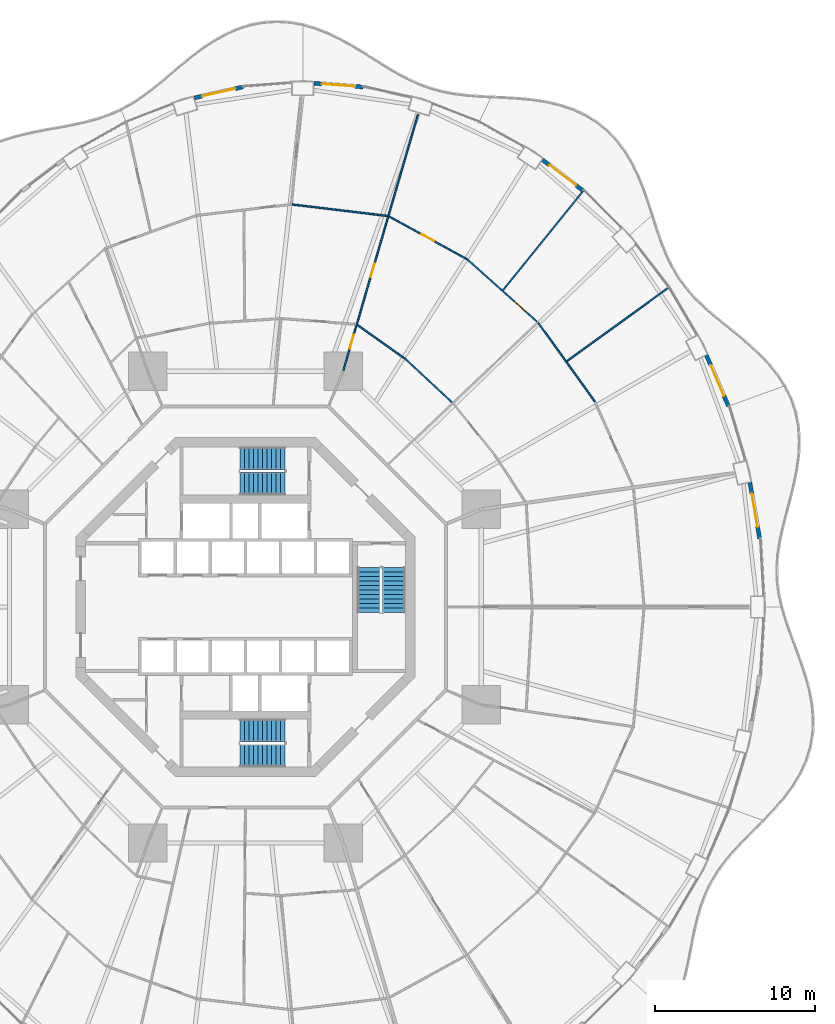
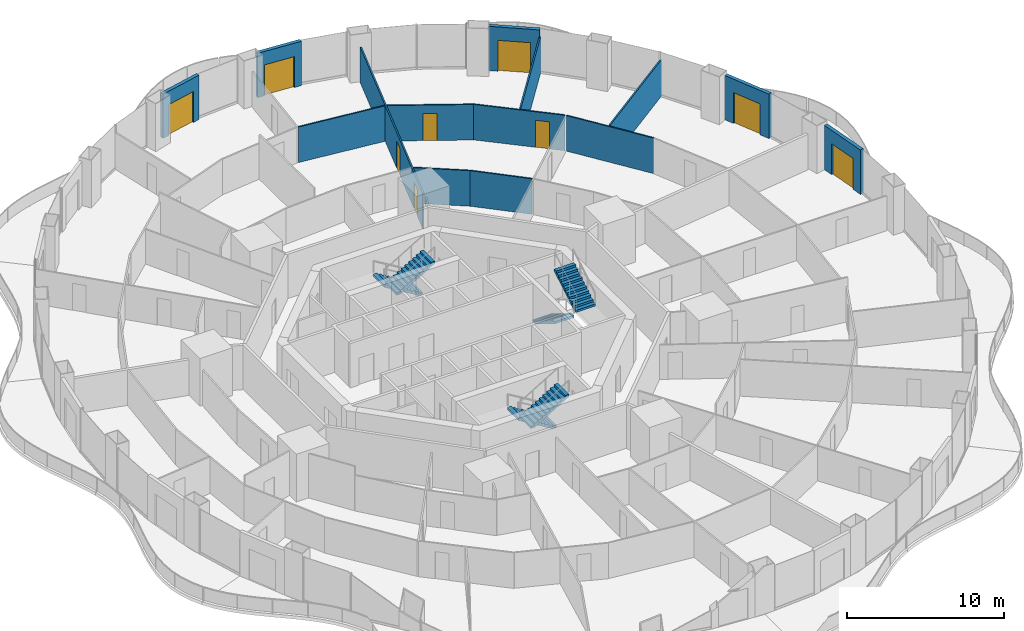
# One storey, part 19 of 22: 14 walls, 9 doors, 6 stair flights, 9 openings, 3 elements without a shape of their own.
"""IFC4 building model written with IfcOpenShell, lengths in metres."""

from ifc_helpers import new_model, si_unit, direction, frame, frame_2d, origin, place, context, subcontext, project, spatial, polyline, rectangle, outline, extrude, material, layer, layer_set, type_object, element, fill, aggregate, save


model = new_model("IFC4")

# Units and contexts
model_context = context("Model", 3, precision=1e-05, world=origin(), true_north=direction((0.0, 1.0)))
body_context = subcontext(model_context, "Body", "Model", "MODEL_VIEW")
ifc_project = project(units=[si_unit("LENGTHUNIT", "METRE"), si_unit("AREAUNIT", "SQUARE_METRE"), si_unit("VOLUMEUNIT", "CUBIC_METRE"), si_unit("PLANEANGLEUNIT", "RADIAN"), si_unit("MASSUNIT", "GRAM", prefix="KILO")], contexts=[model_context])

# Site, building, storey
site_placement = place(None, origin())
site = spatial("IfcSite", under=ifc_project, at=site_placement, CompositionType="ELEMENT")
building_placement = place(site_placement, origin())
building = spatial("IfcBuilding", under=site, at=building_placement, Name="Nagisa Residences", CompositionType="ELEMENT")
storey_placement = place(building_placement, frame((0.0, 0.0, 41.800048828125)))
storey = spatial("IfcBuildingStorey", under=building, at=storey_placement, Name="L09", CompositionType="ELEMENT", Elevation=41.800048828125)

# Walls
ifc_material_1 = material(Name="Gypsum board on steel studs", Category="steel")
ifc_layer_1 = layer(ifc_material_1, 0.10009765625)
ifc_layer_set_1 = layer_set([ifc_layer_1], Name="Apartment partition 100")
wall_type_1 = type_object("IfcWallType", Name="Apartment partition 100", PredefinedType="PARTITIONING", material=ifc_layer_set_1)
wall_1_placement = place(storey_placement, frame((21.90771484375, 12.866455078125, 0.0), z_axis=(0.0, 0.0, 1.0), x_axis=(-0.584558392935, 0.811351640936, 0.0)))
element("IfcWall", 1, at=wall_1_placement, inside=storey, type_object=wall_type_1, Name="wall:L09:u22", PredefinedType="PARTITIONING", context=body_context, shape_type="SweptSolid", body=[
    extrude(rectangle(XDim=6.084228515625, YDim=0.10009765625, at=frame_2d((3.0419921875, 0.0))), origin(), (0.0, 0.0, 1.0), 2.755859375),
])
wall_2_placement = place(storey_placement, frame((20.140625, 15.404541015625, 0.0), z_axis=(0.0, 0.0, 1.0), x_axis=(0.809834895779, 0.58665785734, 0.0)))
element("IfcWall", 2, at=wall_2_placement, inside=storey, type_object=wall_type_1, Name="wall:L09:u23", PredefinedType="PARTITIONING", context=body_context, shape_type="SweptSolid", body=[
    extrude(rectangle(XDim=7.9453125, YDim=0.10009765625, at=frame_2d((3.97265625, 0.0))), origin(), (0.0, 0.0, 1.0), 2.8369140625),
])
wall_3_placement = place(storey_placement, frame((12.957763671875, 12.820068359375, 0.0), z_axis=(0.0, 0.0, 1.0), x_axis=(-0.732028724098, 0.681273768096, 0.0)))
element("IfcWall", 3, at=wall_3_placement, inside=storey, type_object=wall_type_1, Name="wall:L09:u25", PredefinedType="PARTITIONING", context=body_context, shape_type="SweptSolid", body=[
    extrude(rectangle(XDim=4.05029296875, YDim=0.10009765625, at=frame_2d((2.025146484375, 0.0))), origin(), (0.0, 0.0, 1.0), 2.755859375),
])

# Wall, opening, door
wall_4_placement = place(storey_placement, frame((18.28466796875, 17.876953125, 0.0), z_axis=(0.0, 0.0, 1.0), x_axis=(-0.745812746724, 0.666155647596, 0.0)))
wall_4 = element("IfcWall", 4, at=wall_4_placement, inside=storey, type_object=wall_type_1, Name="wall:L09:u26", PredefinedType="PARTITIONING", context=body_context, shape_type="SweptSolid", body=[
    extrude(rectangle(XDim=5.9306640625, YDim=0.10009765625, at=frame_2d((2.96533203125, 0.0))), origin(), (0.0, 0.0, 1.0), 2.755859375),
])
opening_1_placement = place(wall_4_placement, frame((1.007568359375, 0.0, 0.0)))
opening_1 = element("IfcOpeningElement", 5, at=opening_1_placement, cuts=wall_4, Name="Opening L09-U15", PredefinedType="OPENING", context=body_context, shape_type="SweptSolid", body=[
    extrude(rectangle(XDim=0.89990234375, YDim=2.10009765625, at=frame_2d((0.449951171875, 1.050048828125))), frame((0.0, 0.06005859375, 0.0), z_axis=(0.0, -1.0, 0.0), x_axis=(1.0, 0.0, 0.0)), (0.0, 0.0, 1.0), 0.1201171875),
])
ifc_material_2 = material(Name="Timber door set", Category="wood")
door_type_1 = type_object("IfcDoorType", Name="Apartment door 900x2100", OperationType="NOTDEFINED", PredefinedType="DOOR", material=ifc_material_2)
door_1_placement = place(opening_1_placement, frame((0.89990234375, 0.0, 0.0), x_axis=(-1.0, 0.0, 0.0)))
door_1 = element("IfcDoor", 6, at=door_1_placement, inside=storey, type_object=door_type_1, Name="Door to master bedroom, Apartment 09A", OperationType="SINGLE_SWING_RIGHT", OverallHeight=2.10009765625, OverallWidth=0.89990234375, PredefinedType="DOOR", context=body_context, shape_type="SweptSolid", body=[
    extrude(rectangle(XDim=0.89990234375, YDim=2.10009765625, at=frame_2d((0.449951171875, 1.050048828125))), frame((0.0, 0.02490234375, 0.0), z_axis=(0.0, -1.0, 0.0), x_axis=(1.0, 0.0, 0.0)), (0.0, 0.0, 1.0), 0.050048828125),
])
fill(opening_1, door_1)

# Walls
wall_5_placement = place(storey_placement, frame((16.141845703125, 19.85791015625, 0.0), z_axis=(0.0, 0.0, 1.0), x_axis=(0.628738066508, 0.777617157555, 0.0)))
element("IfcWall", 7, at=wall_5_placement, inside=storey, type_object=wall_type_1, Name="wall:L09:u27", PredefinedType="PARTITIONING", context=body_context, shape_type="SweptSolid", body=[
    extrude(rectangle(XDim=8.091064453125, YDim=0.10009765625, at=frame_2d((4.04541015625, 0.0))), origin(), (0.0, 0.0, 1.0), 2.8369140625),
])
wall_6_placement = place(storey_placement, frame((9.98876953125, 15.57421875, 0.0), z_axis=(0.0, 0.0, 1.0), x_axis=(-0.81494477814, 0.57953861699, 0.0)))
element("IfcWall", 8, at=wall_6_placement, inside=storey, type_object=wall_type_1, Name="wall:L09:u28", PredefinedType="PARTITIONING", context=body_context, shape_type="SweptSolid", body=[
    extrude(rectangle(XDim=3.644287109375, YDim=0.10009765625, at=frame_2d((1.822265625, 0.0))), origin(), (0.0, 0.0, 1.0), 2.755859375),
])

# Wall, opening, door
wall_7_placement = place(storey_placement, frame((13.85498046875, 21.818359375, 0.0), z_axis=(0.0, 0.0, 1.0), x_axis=(-0.876794415294, 0.480865421203, 0.0)))
wall_7 = element("IfcWall", 9, at=wall_7_placement, inside=storey, type_object=wall_type_1, Name="wall:L09:u29", PredefinedType="PARTITIONING", context=body_context, shape_type="SweptSolid", body=[
    extrude(rectangle(XDim=5.5361328125, YDim=0.10009765625, at=frame_2d((2.76806640625, 0.0))), origin(), (0.0, 0.0, 1.0), 2.755859375),
])
opening_2_placement = place(wall_7_placement, frame((2.318115234375, 0.0, 0.0)))
opening_2 = element("IfcOpeningElement", 10, at=opening_2_placement, cuts=wall_7, Name="Opening L09-U16", PredefinedType="OPENING", context=body_context, shape_type="SweptSolid", body=[
    extrude(rectangle(XDim=0.89990234375, YDim=2.10009765625, at=frame_2d((0.449951171875, 1.050048828125))), frame((0.0, 0.06005859375, 0.0), z_axis=(0.0, -1.0, 0.0), x_axis=(1.0, 0.0, 0.0)), (0.0, 0.0, 1.0), 0.1201171875),
])
door_2_placement = place(opening_2_placement, frame((0.89990234375, 0.0, 0.0), x_axis=(-1.0, 0.0, 0.0)))
door_2 = element("IfcDoor", 11, at=door_2_placement, inside=storey, type_object=door_type_1, Name="Door to living room, Apartment 09A", OperationType="SINGLE_SWING_LEFT", OverallHeight=2.10009765625, OverallWidth=0.89990234375, PredefinedType="DOOR", context=body_context, shape_type="SweptSolid", body=[
    extrude(rectangle(XDim=0.89990234375, YDim=2.10009765625, at=frame_2d((0.449951171875, 1.050048828125))), frame((0.0, 0.02490234375, 0.0), z_axis=(0.0, -1.0, 0.0), x_axis=(1.0, 0.0, 0.0)), (0.0, 0.0, 1.0), 0.050048828125),
])
fill(opening_2, door_2)

# Wall, openings, doors
wall_8_placement = place(storey_placement, frame((6.136962890625, 14.830078125, 0.0), z_axis=(0.0, 0.0, 1.0), x_axis=(0.27985745069, 0.960041565399, 0.0)))
wall_8 = element("IfcWall", 12, at=wall_8_placement, inside=storey, type_object=wall_type_1, Name="wall:L09:u31", PredefinedType="PARTITIONING", context=body_context, shape_type="SweptSolid", body=[
    extrude(rectangle(XDim=16.705078125, YDim=0.10009765625, at=frame_2d((8.3525390625, 0.0))), origin(), (0.0, 0.0, 1.0), 2.755859375),
])
opening_3_placement = place(wall_8_placement, frame((6.09130859375, 0.0, 0.0)))
opening_3 = element("IfcOpeningElement", 13, at=opening_3_placement, cuts=wall_8, Name="Opening L09-U14", PredefinedType="OPENING", context=body_context, shape_type="SweptSolid", body=[
    extrude(rectangle(XDim=0.89990234375, YDim=2.10009765625, at=frame_2d((0.449951171875, 1.050048828125))), frame((0.0, 0.06005859375, 0.0), z_axis=(0.0, -1.0, 0.0), x_axis=(1.0, 0.0, 0.0)), (0.0, 0.0, 1.0), 0.1201171875),
])
opening_4_placement = place(wall_8_placement, frame((1.43359375, 0.0, 0.0)))
opening_4 = element("IfcOpeningElement", 14, at=opening_4_placement, cuts=wall_8, Name="Opening L09-U17", PredefinedType="OPENING", context=body_context, shape_type="SweptSolid", body=[
    extrude(rectangle(XDim=0.89990234375, YDim=2.10009765625, at=frame_2d((0.449951171875, 1.050048828125))), frame((0.0, 0.06005859375, 0.0), z_axis=(0.0, -1.0, 0.0), x_axis=(1.0, 0.0, 0.0)), (0.0, 0.0, 1.0), 0.1201171875),
])
door_3_placement = place(opening_3_placement, frame((0.89990234375, 0.0, 0.0), x_axis=(-1.0, 0.0, 0.0)))
door_3 = element("IfcDoor", 15, at=door_3_placement, inside=storey, type_object=door_type_1, Name="Door to family room, Apartment 09A", OperationType="SINGLE_SWING_LEFT", OverallHeight=2.10009765625, OverallWidth=0.89990234375, PredefinedType="DOOR", context=body_context, shape_type="SweptSolid", body=[
    extrude(rectangle(XDim=0.89990234375, YDim=2.10009765625, at=frame_2d((0.449951171875, 1.050048828125))), frame((0.0, 0.02490234375, 0.0), z_axis=(0.0, -1.0, 0.0), x_axis=(1.0, 0.0, 0.0)), (0.0, 0.0, 1.0), 0.050048828125),
])
fill(opening_3, door_3)
door_4_placement = place(opening_4_placement, frame((0.89990234375, 0.0, 0.0), x_axis=(-1.0, 0.0, 0.0)))
door_4 = element("IfcDoor", 16, at=door_4_placement, inside=storey, type_object=door_type_1, Name="Door to store, Apartment 09A", OperationType="SINGLE_SWING_RIGHT", OverallHeight=2.10009765625, OverallWidth=0.89990234375, PredefinedType="DOOR", context=body_context, shape_type="SweptSolid", body=[
    extrude(rectangle(XDim=0.89990234375, YDim=2.10009765625, at=frame_2d((0.449951171875, 1.050048828125))), frame((0.0, 0.02490234375, 0.0), z_axis=(0.0, -1.0, 0.0), x_axis=(1.0, 0.0, 0.0)), (0.0, 0.0, 1.0), 0.050048828125),
])
fill(opening_4, door_4)

# Wall
wall_9_placement = place(storey_placement, frame((8.907470703125, 24.510498046875, 0.0), z_axis=(0.0, 0.0, 1.0), x_axis=(-0.992836798252, 0.119478416615, 0.0)))
element("IfcWall", 17, at=wall_9_placement, inside=storey, type_object=wall_type_1, Name="wall:L09:u33", PredefinedType="PARTITIONING", context=body_context, shape_type="SweptSolid", body=[
    extrude(rectangle(XDim=6.009521484375, YDim=0.10009765625, at=frame_2d((3.0048828125, 0.0))), origin(), (0.0, 0.0, 1.0), 2.755859375),
])

# Wall, opening, door
ifc_material_3 = material(Name="Precast concrete C40/50", Category="concrete")
ifc_layer_2 = layer(ifc_material_3, 0.25)
ifc_layer_set_2 = layer_set([ifc_layer_2], Name="BALCONY DOOR WALL 250")
wall_type_2 = type_object("IfcWallType", Name="BALCONY DOOR WALL 250", PredefinedType="SOLIDWALL", material=ifc_layer_set_2)
wall_10_placement = place(storey_placement, frame((31.609130859375, 7.830078125, 0.0), z_axis=(0.0, 0.0, 1.0), x_axis=(0.172217377323, -0.98505897029, 0.0)))
wall_10 = element("IfcWall", 18, at=wall_10_placement, inside=storey, type_object=wall_type_2, Name="wall:L09:bay01", PredefinedType="SOLIDWALL", context=body_context, shape_type="SweptSolid", body=[
    extrude(rectangle(XDim=3.597900390625, YDim=0.25, at=frame_2d((1.798828125, 0.0))), origin(), (0.0, 0.0, 1.0), 3.43994140625),
])
opening_5_placement = place(wall_10_placement, frame((0.7490234375, 0.0, 0.0)))
opening_5 = element("IfcOpeningElement", 19, at=opening_5_placement, cuts=wall_10, Name="Opening BD-L09-01", PredefinedType="OPENING", context=body_context, shape_type="SweptSolid", body=[
    extrude(rectangle(XDim=2.10009765625, YDim=2.39990234375, at=frame_2d((1.050048828125, 1.199951171875))), frame((0.0, 0.135009765625, 0.0), z_axis=(0.0, -1.0, 0.0), x_axis=(1.0, 0.0, 0.0)), (0.0, 0.0, 1.0), 0.27001953125),
])
ifc_material_4 = material(Name="Aluminium and clear glass", Category="aluminium")
door_type_2 = type_object("IfcDoorType", Name="BALCONY SLIDING DOOR 2100x2400", OperationType="SLIDING_TO_LEFT", PredefinedType="DOOR", material=ifc_material_4)
door_5_placement = place(opening_5_placement, origin())
door_5 = element("IfcDoor", 20, at=door_5_placement, inside=storey, type_object=door_type_2, Name="door:L09:bay01", OperationType="SLIDING_TO_LEFT", OverallHeight=2.39990234375, OverallWidth=2.10009765625, PredefinedType="DOOR", context=body_context, shape_type="SweptSolid", body=[
    extrude(rectangle(XDim=2.10009765625, YDim=2.39990234375, at=frame_2d((1.050048828125, 1.199951171875))), frame((0.0, 0.02490234375, 0.0), z_axis=(0.0, -1.0, 0.0), x_axis=(1.0, 0.0, 0.0)), (0.0, 0.0, 1.0), 0.050048828125),
])
fill(opening_5, door_5)

wall_11_placement = place(storey_placement, frame((28.87841796875, 15.80810546875, 0.0), z_axis=(0.0, 0.0, 1.0), x_axis=(0.397624958345, -0.917548032803, 0.0)))
wall_11 = element("IfcWall", 21, at=wall_11_placement, inside=storey, type_object=wall_type_2, Name="wall:L09:bay03", PredefinedType="SOLIDWALL", context=body_context, shape_type="SweptSolid", body=[
    extrude(rectangle(XDim=3.51953125, YDim=0.25, at=frame_2d((1.759765625, 0.0))), origin(), (0.0, 0.0, 1.0), 3.43994140625),
])
opening_6_placement = place(wall_11_placement, frame((0.709716796875, 0.0, 0.0)))
opening_6 = element("IfcOpeningElement", 22, at=opening_6_placement, cuts=wall_11, Name="Opening BD-L09-02", PredefinedType="OPENING", context=body_context, shape_type="SweptSolid", body=[
    extrude(rectangle(XDim=2.10009765625, YDim=2.39990234375, at=frame_2d((1.050048828125, 1.199951171875))), frame((0.0, 0.135009765625, 0.0), z_axis=(0.0, -1.0, 0.0), x_axis=(1.0, 0.0, 0.0)), (0.0, 0.0, 1.0), 0.27001953125),
])
door_6_placement = place(opening_6_placement, origin())
door_6 = element("IfcDoor", 23, at=door_6_placement, inside=storey, type_object=door_type_2, Name="door:L09:bay03", OperationType="SLIDING_TO_LEFT", OverallHeight=2.39990234375, OverallWidth=2.10009765625, PredefinedType="DOOR", context=body_context, shape_type="SweptSolid", body=[
    extrude(rectangle(XDim=2.10009765625, YDim=2.39990234375, at=frame_2d((1.050048828125, 1.199951171875))), frame((0.0, 0.02490234375, 0.0), z_axis=(0.0, -1.0, 0.0), x_axis=(1.0, 0.0, 0.0)), (0.0, 0.0, 1.0), 0.050048828125),
])
fill(opening_6, door_6)

wall_12_placement = place(storey_placement, frame((18.58154296875, 28.0556640625, 0.0), z_axis=(0.0, 0.0, 1.0), x_axis=(0.796022293214, -0.605267303517, 0.0)))
wall_12 = element("IfcWall", 24, at=wall_12_placement, inside=storey, type_object=wall_type_2, Name="wall:L09:bay07", PredefinedType="SOLIDWALL", context=body_context, shape_type="SweptSolid", body=[
    extrude(rectangle(XDim=3.262451171875, YDim=0.25, at=frame_2d((1.63134765625, 0.0))), origin(), (0.0, 0.0, 1.0), 3.43994140625),
])
opening_7_placement = place(wall_12_placement, frame((0.5810546875, 0.0, 0.0)))
opening_7 = element("IfcOpeningElement", 25, at=opening_7_placement, cuts=wall_12, Name="Opening BD-L09-03", PredefinedType="OPENING", context=body_context, shape_type="SweptSolid", body=[
    extrude(rectangle(XDim=2.10009765625, YDim=2.39990234375, at=frame_2d((1.050048828125, 1.199951171875))), frame((0.0, 0.135009765625, 0.0), z_axis=(0.0, -1.0, 0.0), x_axis=(1.0, 0.0, 0.0)), (0.0, 0.0, 1.0), 0.27001953125),
])
door_7_placement = place(opening_7_placement, origin())
door_7 = element("IfcDoor", 26, at=door_7_placement, inside=storey, type_object=door_type_2, Name="door:L09:bay07", OperationType="SLIDING_TO_LEFT", OverallHeight=2.39990234375, OverallWidth=2.10009765625, PredefinedType="DOOR", context=body_context, shape_type="SweptSolid", body=[
    extrude(rectangle(XDim=2.10009765625, YDim=2.39990234375, at=frame_2d((1.050048828125, 1.199951171875))), frame((0.0, 0.02490234375, 0.0), z_axis=(0.0, -1.0, 0.0), x_axis=(1.0, 0.0, 0.0)), (0.0, 0.0, 1.0), 0.050048828125),
])
fill(opening_7, door_7)

wall_13_placement = place(storey_placement, frame((4.288818359375, 32.8232421875, 0.0), z_axis=(0.0, 0.0, 1.0), x_axis=(0.997230834878, -0.074368420505, 0.0)))
wall_13 = element("IfcWall", 27, at=wall_13_placement, inside=storey, type_object=wall_type_2, Name="wall:L09:bay11", PredefinedType="SOLIDWALL", context=body_context, shape_type="SweptSolid", body=[
    extrude(rectangle(XDim=3.095703125, YDim=0.25, at=frame_2d((1.5478515625, 0.0))), origin(), (0.0, 0.0, 1.0), 3.43994140625),
])
opening_8_placement = place(wall_13_placement, frame((0.497802734375, 0.0, 0.0)))
opening_8 = element("IfcOpeningElement", 28, at=opening_8_placement, cuts=wall_13, Name="Opening BD-L09-04", PredefinedType="OPENING", context=body_context, shape_type="SweptSolid", body=[
    extrude(rectangle(XDim=2.10009765625, YDim=2.39990234375, at=frame_2d((1.050048828125, 1.199951171875))), frame((0.0, 0.135009765625, 0.0), z_axis=(0.0, -1.0, 0.0), x_axis=(1.0, 0.0, 0.0)), (0.0, 0.0, 1.0), 0.27001953125),
])
door_8_placement = place(opening_8_placement, origin())
door_8 = element("IfcDoor", 29, at=door_8_placement, inside=storey, type_object=door_type_2, Name="door:L09:bay11", OperationType="SLIDING_TO_LEFT", OverallHeight=2.39990234375, OverallWidth=2.10009765625, PredefinedType="DOOR", context=body_context, shape_type="SweptSolid", body=[
    extrude(rectangle(XDim=2.10009765625, YDim=2.39990234375, at=frame_2d((1.050048828125, 1.199951171875))), frame((0.0, 0.02490234375, 0.0), z_axis=(0.0, -1.0, 0.0), x_axis=(1.0, 0.0, 0.0)), (0.0, 0.0, 1.0), 0.050048828125),
])
fill(opening_8, door_8)

wall_14_placement = place(storey_placement, frame((-3.1953125, 31.908203125, 0.0), z_axis=(0.0, 0.0, 1.0), x_axis=(0.975331134677, 0.220746863466, 0.0)))
wall_14 = element("IfcWall", 30, at=wall_14_placement, inside=storey, type_object=wall_type_2, Name="wall:L09:bay13", PredefinedType="SOLIDWALL", context=body_context, shape_type="SweptSolid", body=[
    extrude(rectangle(XDim=3.114501953125, YDim=0.25, at=frame_2d((1.55712890625, 0.0))), origin(), (0.0, 0.0, 1.0), 3.43994140625),
])
opening_9_placement = place(wall_14_placement, frame((0.50732421875, 0.0, 0.0)))
opening_9 = element("IfcOpeningElement", 31, at=opening_9_placement, cuts=wall_14, Name="Opening BD-L09-05", PredefinedType="OPENING", context=body_context, shape_type="SweptSolid", body=[
    extrude(rectangle(XDim=2.10009765625, YDim=2.39990234375, at=frame_2d((1.050048828125, 1.199951171875))), frame((0.0, 0.135009765625, 0.0), z_axis=(0.0, -1.0, 0.0), x_axis=(1.0, 0.0, 0.0)), (0.0, 0.0, 1.0), 0.27001953125),
])
door_9_placement = place(opening_9_placement, origin())
door_9 = element("IfcDoor", 32, at=door_9_placement, inside=storey, type_object=door_type_2, Name="door:L09:bay13", OperationType="SLIDING_TO_LEFT", OverallHeight=2.39990234375, OverallWidth=2.10009765625, PredefinedType="DOOR", context=body_context, shape_type="SweptSolid", body=[
    extrude(rectangle(XDim=2.10009765625, YDim=2.39990234375, at=frame_2d((1.050048828125, 1.199951171875))), frame((0.0, 0.02490234375, 0.0), z_axis=(0.0, -1.0, 0.0), x_axis=(1.0, 0.0, 0.0)), (0.0, 0.0, 1.0), 0.050048828125),
])
fill(opening_9, door_9)

# Stair, stair flights
ifc_material_5 = material(Name="Concrete C60", Category="concrete")
stair_type = type_object("IfcStairType", Name="Exit stair", PredefinedType="HALF_TURN_STAIR", material=ifc_material_5)
stair_1_placement = place(storey_placement, origin())
stair_1 = element("IfcStair", 33, at=stair_1_placement, inside=storey, type_object=stair_type, Name="L09 Exit stair E", PredefinedType="HALF_TURN_STAIR")
ifc_material_6 = material(Name="Concrete C60", Category="concrete")
stair_flight_type = type_object("IfcStairFlightType", Name="Exit stair flight", PredefinedType="STRAIGHT", material=ifc_material_6)
stair_flight_1_placement = place(storey_placement, frame((7.737060546875, 2.47509765625, 0.0), z_axis=(0.0, 0.0, 1.0), x_axis=(0.0, -1.0, 0.0)))
stair_flight_1 = element("IfcStairFlight", 34, at=stair_flight_1_placement, type_object=stair_flight_type, Name="ST-E flight 1", NumberOfRisers=11, NumberOfTreads=10, PredefinedType="STRAIGHT", RiserHeight=0.168181818, TreadLength=0.28, context=body_context, shape_type="SweptSolid", body=[
    extrude(outline(polyline([(0.0, 0.0), (0.0, 0.168212890625), (0.280029296875, 0.168212890625), (0.280029296875, 0.33642578125), (0.56005859375, 0.33642578125), (0.56005859375, 0.504638671875), (0.840087890625, 0.504638671875), (0.840087890625, 0.672607421875), (1.1201171875, 0.672607421875), (1.1201171875, 0.8408203125), (1.39990234375, 0.8408203125), (1.39990234375, 1.009033203125), (1.679931640625, 1.009033203125), (1.679931640625, 1.17724609375), (1.9599609375, 1.17724609375), (1.9599609375, 1.345458984375), (2.239990234375, 1.345458984375), (2.239990234375, 1.513671875), (2.52001953125, 1.513671875), (2.52001953125, 1.681884765625), (2.800048828125, 1.681884765625), (2.800048828125, 1.85009765625), (2.800048828125, 1.5068359375), (0.291015625, 0.0), (0.0, 0.0)])), frame((0.0, 0.71240234375, 0.0), z_axis=(0.0, -1.0, 0.0), x_axis=(1.0, 0.0, 0.0)), (0.0, 0.0, 1.0), 1.425048828125),
])
stair_flight_2_placement = place(storey_placement, frame((9.31201171875, -0.324951171875, 1.849853515625), z_axis=(0.0, 0.0, 1.0), x_axis=(0.0, 1.0, 0.0)))
stair_flight_2 = element("IfcStairFlight", 35, at=stair_flight_2_placement, type_object=stair_flight_type, Name="ST-E flight 2", NumberOfRisers=11, NumberOfTreads=10, PredefinedType="STRAIGHT", RiserHeight=0.168181818, TreadLength=0.28, context=body_context, shape_type="SweptSolid", body=[
    extrude(outline(polyline([(0.0, 0.0), (0.0, 0.168212890625), (0.280029296875, 0.168212890625), (0.280029296875, 0.33642578125), (0.56005859375, 0.33642578125), (0.56005859375, 0.504638671875), (0.840087890625, 0.504638671875), (0.840087890625, 0.672607421875), (1.1201171875, 0.672607421875), (1.1201171875, 0.8408203125), (1.39990234375, 0.8408203125), (1.39990234375, 1.009033203125), (1.679931640625, 1.009033203125), (1.679931640625, 1.17724609375), (1.9599609375, 1.17724609375), (1.9599609375, 1.345458984375), (2.239990234375, 1.345458984375), (2.239990234375, 1.513671875), (2.52001953125, 1.513671875), (2.52001953125, 1.681884765625), (2.800048828125, 1.681884765625), (2.800048828125, 1.85009765625), (2.800048828125, 1.5068359375), (0.291015625, 0.0), (0.0, 0.0)])), frame((0.0, 0.71240234375, 0.0), z_axis=(0.0, -1.0, 0.0), x_axis=(1.0, 0.0, 0.0)), (0.0, 0.0, 1.0), 1.425048828125),
])
aggregate(stair_1, [stair_flight_1, stair_flight_2])

stair_2_placement = place(storey_placement, origin())
stair_2 = element("IfcStair", 36, at=stair_2_placement, inside=storey, type_object=stair_type, Name="L09 Exit stair N", PredefinedType="HALF_TURN_STAIR")
stair_flight_3_placement = place(storey_placement, frame((2.47509765625, 9.31201171875, 0.0), z_axis=(0.0, 0.0, 1.0), x_axis=(-1.0, 0.0, 0.0)))
stair_flight_3 = element("IfcStairFlight", 37, at=stair_flight_3_placement, type_object=stair_flight_type, Name="ST-N flight 1", NumberOfRisers=11, NumberOfTreads=10, PredefinedType="STRAIGHT", RiserHeight=0.168181818, TreadLength=0.28, context=body_context, shape_type="SweptSolid", body=[
    extrude(outline(polyline([(0.0, 0.0), (0.0, 0.168212890625), (0.280029296875, 0.168212890625), (0.280029296875, 0.33642578125), (0.56005859375, 0.33642578125), (0.56005859375, 0.504638671875), (0.840087890625, 0.504638671875), (0.840087890625, 0.672607421875), (1.1201171875, 0.672607421875), (1.1201171875, 0.8408203125), (1.39990234375, 0.8408203125), (1.39990234375, 1.009033203125), (1.679931640625, 1.009033203125), (1.679931640625, 1.17724609375), (1.9599609375, 1.17724609375), (1.9599609375, 1.345458984375), (2.239990234375, 1.345458984375), (2.239990234375, 1.513671875), (2.52001953125, 1.513671875), (2.52001953125, 1.681884765625), (2.800048828125, 1.681884765625), (2.800048828125, 1.85009765625), (2.800048828125, 1.5068359375), (0.291015625, 0.0), (0.0, 0.0)])), frame((0.0, 0.71240234375, 0.0), z_axis=(0.0, -1.0, 0.0), x_axis=(1.0, 0.0, 0.0)), (0.0, 0.0, 1.0), 1.425048828125),
])
stair_flight_4_placement = place(storey_placement, frame((-0.324951171875, 7.737060546875, 1.849853515625), z_axis=(0.0, 0.0, 1.0), x_axis=(1.0, 0.0, 0.0)))
stair_flight_4 = element("IfcStairFlight", 38, at=stair_flight_4_placement, type_object=stair_flight_type, Name="ST-N flight 2", NumberOfRisers=11, NumberOfTreads=10, PredefinedType="STRAIGHT", RiserHeight=0.168181818, TreadLength=0.28, context=body_context, shape_type="SweptSolid", body=[
    extrude(outline(polyline([(0.0, 0.0), (0.0, 0.168212890625), (0.280029296875, 0.168212890625), (0.280029296875, 0.33642578125), (0.56005859375, 0.33642578125), (0.56005859375, 0.504638671875), (0.840087890625, 0.504638671875), (0.840087890625, 0.672607421875), (1.1201171875, 0.672607421875), (1.1201171875, 0.8408203125), (1.39990234375, 0.8408203125), (1.39990234375, 1.009033203125), (1.679931640625, 1.009033203125), (1.679931640625, 1.17724609375), (1.9599609375, 1.17724609375), (1.9599609375, 1.345458984375), (2.239990234375, 1.345458984375), (2.239990234375, 1.513671875), (2.52001953125, 1.513671875), (2.52001953125, 1.681884765625), (2.800048828125, 1.681884765625), (2.800048828125, 1.85009765625), (2.800048828125, 1.5068359375), (0.291015625, 0.0), (0.0, 0.0)])), frame((0.0, 0.71240234375, 0.0), z_axis=(0.0, -1.0, 0.0), x_axis=(1.0, 0.0, 0.0)), (0.0, 0.0, 1.0), 1.425048828125),
])
aggregate(stair_2, [stair_flight_3, stair_flight_4])

stair_3_placement = place(storey_placement, origin())
stair_3 = element("IfcStair", 39, at=stair_3_placement, inside=storey, type_object=stair_type, Name="L09 Exit stair S", PredefinedType="HALF_TURN_STAIR")
stair_flight_5_placement = place(storey_placement, frame((2.47509765625, -7.737060546875, 0.0), z_axis=(0.0, 0.0, 1.0), x_axis=(-1.0, 0.0, 0.0)))
stair_flight_5 = element("IfcStairFlight", 40, at=stair_flight_5_placement, type_object=stair_flight_type, Name="ST-S flight 1", NumberOfRisers=11, NumberOfTreads=10, PredefinedType="STRAIGHT", RiserHeight=0.168181818, TreadLength=0.28, context=body_context, shape_type="SweptSolid", body=[
    extrude(outline(polyline([(0.0, 0.0), (0.0, 0.168212890625), (0.280029296875, 0.168212890625), (0.280029296875, 0.33642578125), (0.56005859375, 0.33642578125), (0.56005859375, 0.504638671875), (0.840087890625, 0.504638671875), (0.840087890625, 0.672607421875), (1.1201171875, 0.672607421875), (1.1201171875, 0.8408203125), (1.39990234375, 0.8408203125), (1.39990234375, 1.009033203125), (1.679931640625, 1.009033203125), (1.679931640625, 1.17724609375), (1.9599609375, 1.17724609375), (1.9599609375, 1.345458984375), (2.239990234375, 1.345458984375), (2.239990234375, 1.513671875), (2.52001953125, 1.513671875), (2.52001953125, 1.681884765625), (2.800048828125, 1.681884765625), (2.800048828125, 1.85009765625), (2.800048828125, 1.5068359375), (0.291015625, 0.0), (0.0, 0.0)])), frame((0.0, 0.71240234375, 0.0), z_axis=(0.0, -1.0, 0.0), x_axis=(1.0, 0.0, 0.0)), (0.0, 0.0, 1.0), 1.425048828125),
])
stair_flight_6_placement = place(storey_placement, frame((-0.324951171875, -9.31201171875, 1.849853515625), z_axis=(0.0, 0.0, 1.0), x_axis=(1.0, 0.0, 0.0)))
stair_flight_6 = element("IfcStairFlight", 41, at=stair_flight_6_placement, type_object=stair_flight_type, Name="ST-S flight 2", NumberOfRisers=11, NumberOfTreads=10, PredefinedType="STRAIGHT", RiserHeight=0.168181818, TreadLength=0.28, context=body_context, shape_type="SweptSolid", body=[
    extrude(outline(polyline([(0.0, 0.0), (0.0, 0.168212890625), (0.280029296875, 0.168212890625), (0.280029296875, 0.33642578125), (0.56005859375, 0.33642578125), (0.56005859375, 0.504638671875), (0.840087890625, 0.504638671875), (0.840087890625, 0.672607421875), (1.1201171875, 0.672607421875), (1.1201171875, 0.8408203125), (1.39990234375, 0.8408203125), (1.39990234375, 1.009033203125), (1.679931640625, 1.009033203125), (1.679931640625, 1.17724609375), (1.9599609375, 1.17724609375), (1.9599609375, 1.345458984375), (2.239990234375, 1.345458984375), (2.239990234375, 1.513671875), (2.52001953125, 1.513671875), (2.52001953125, 1.681884765625), (2.800048828125, 1.681884765625), (2.800048828125, 1.85009765625), (2.800048828125, 1.5068359375), (0.291015625, 0.0), (0.0, 0.0)])), frame((0.0, 0.71240234375, 0.0), z_axis=(0.0, -1.0, 0.0), x_axis=(1.0, 0.0, 0.0)), (0.0, 0.0, 1.0), 1.425048828125),
])
aggregate(stair_3, [stair_flight_5, stair_flight_6])

save(model, "model.ifc")
